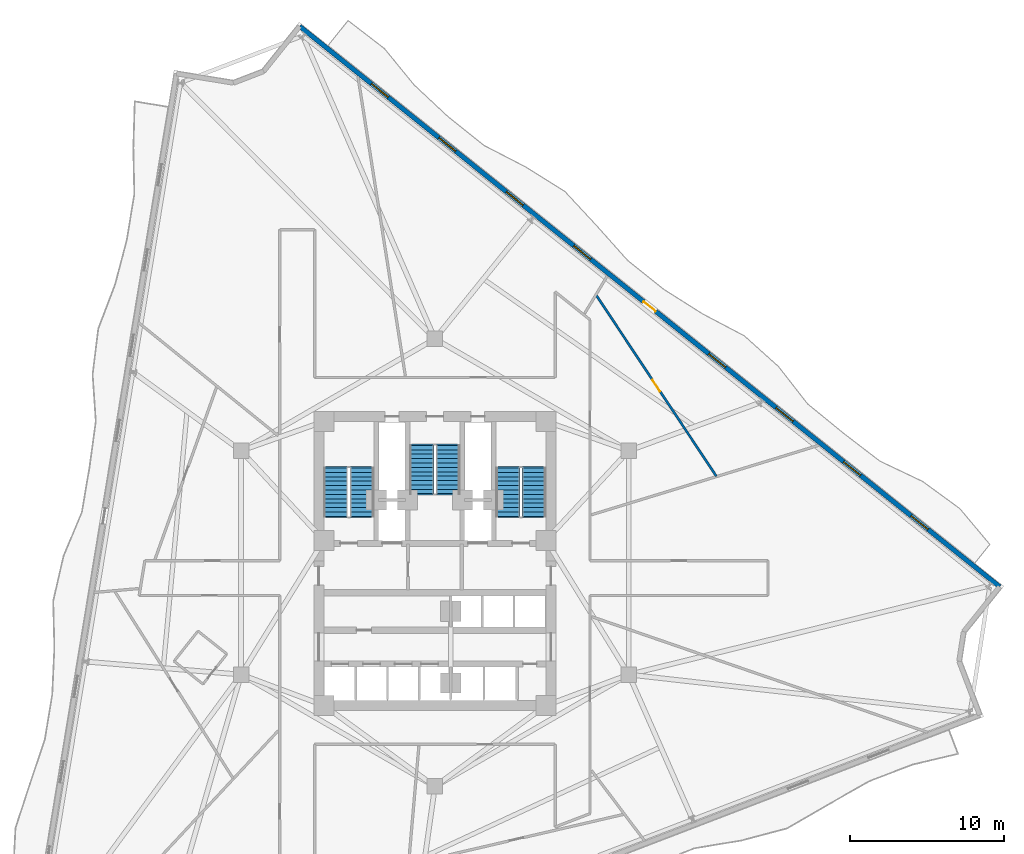
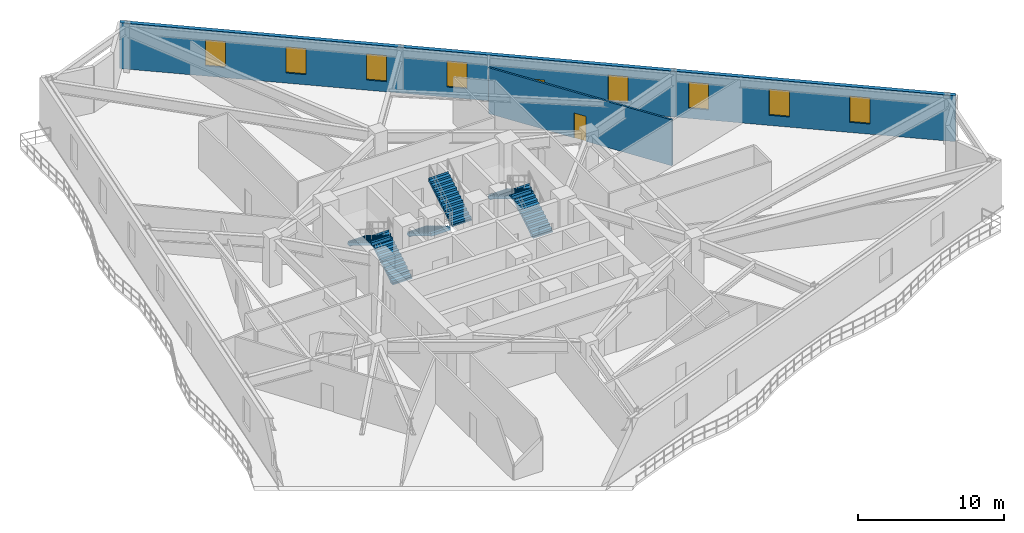
# One storey, part 7 of 11: 8 windows, 6 stair flights, 2 doors, 2 walls, 10 openings, 3 elements without a shape of their own.
"""IFC4 building model written with IfcOpenShell, lengths in metres."""

from ifc_helpers import new_model, si_unit, direction, frame, frame_2d, origin, place, context, subcontext, project, spatial, polyline, rectangle, outline, extrude, material, layer, layer_set, type_object, element, fill, aggregate, save


model = new_model("IFC4")

# Units and contexts
model_context = context("Model", 3, precision=1e-05, world=origin(), true_north=direction((0.0, 1.0)))
body_context = subcontext(model_context, "Body", "Model", "MODEL_VIEW")
ifc_project = project(units=[si_unit("LENGTHUNIT", "METRE"), si_unit("AREAUNIT", "SQUARE_METRE"), si_unit("VOLUMEUNIT", "CUBIC_METRE"), si_unit("PLANEANGLEUNIT", "RADIAN"), si_unit("MASSUNIT", "GRAM", prefix="KILO")], contexts=[model_context])

# Site, building, storey
site_placement = place(None, origin())
site = spatial("IfcSite", under=ifc_project, at=site_placement, CompositionType="ELEMENT")
building_placement = place(site_placement, origin())
building = spatial("IfcBuilding", under=site, at=building_placement, Name="Apsidion Concourse Tower", CompositionType="ELEMENT")
storey_placement = place(building_placement, frame((0.0, 0.0, 148.60009765625)))
storey = spatial("IfcBuildingStorey", under=building, at=storey_placement, Name="L34", CompositionType="ELEMENT", Elevation=148.60009765625)

# Wall, openings, door, windows
ifc_material_1 = material(Name="Precast concrete C40/50", Category="concrete")
ifc_layer_1 = layer(ifc_material_1, 0.300048828125)
ifc_layer_set_1 = layer_set([ifc_layer_1], Name="Precast concrete C40/50")
wall_type_1 = type_object("IfcWallType", Name="WL-EXT-300", PredefinedType="STANDARD", material=ifc_layer_set_1)
wall_1_placement = place(storey_placement, frame((-8.76171875, 34.748291015625, 0.0), z_axis=(0.0, 0.0, 1.0), x_axis=(0.780669916438, -0.624943582708, 0.0)))
wall_1 = element("IfcWall", 1, at=wall_1_placement, inside=storey, type_object=wall_type_1, Name="L34 Precast Stone Facade Wall 01", PredefinedType="STANDARD", context=body_context, shape_type="SweptSolid", body=[
    extrude(rectangle(XDim=58.093017578125, YDim=0.300048828125, at=frame_2d((29.04638671875, 0.0))), origin(), (0.0, 0.0, 1.0), 3.849853515625),
])
opening_1_placement = place(wall_1_placement, frame((28.546630859375, 0.0, 0.0)))
opening_1 = element("IfcOpeningElement", 2, at=opening_1_placement, cuts=wall_1, Name="Opening D-T1L", PredefinedType="OPENING", context=body_context, shape_type="SweptSolid", body=[
    extrude(rectangle(XDim=1.0, YDim=2.14990234375, at=frame_2d((0.5, 1.074951171875))), frame((0.0, 0.16015625, 0.0), z_axis=(0.0, -1.0, 0.0), x_axis=(1.0, 0.0, 0.0)), (0.0, 0.0, 1.0), 0.320068359375),
])
opening_2_placement = place(wall_1_placement, frame((5.946533203125, 0.0, 0.85009765625)))
opening_2 = element("IfcOpeningElement", 3, at=opening_2_placement, cuts=wall_1, Name="Opening WN-05", PredefinedType="OPENING", context=body_context, shape_type="SweptSolid", body=[
    extrude(rectangle(XDim=1.39990234375, YDim=2.199951171875, at=frame_2d((0.699951171875, 1.10009765625))), frame((0.0, 0.16015625, 0.0), z_axis=(0.0, -1.0, 0.0), x_axis=(1.0, 0.0, 0.0)), (0.0, 0.0, 1.0), 0.320068359375),
])
opening_3_placement = place(wall_1_placement, frame((11.546630859375, 0.0, 0.85009765625)))
opening_3 = element("IfcOpeningElement", 4, at=opening_3_placement, cuts=wall_1, Name="Opening WN-05", PredefinedType="OPENING", context=body_context, shape_type="SweptSolid", body=[
    extrude(rectangle(XDim=1.39990234375, YDim=2.199951171875, at=frame_2d((0.699951171875, 1.10009765625))), frame((0.0, 0.16015625, 0.0), z_axis=(0.0, -1.0, 0.0), x_axis=(1.0, 0.0, 0.0)), (0.0, 0.0, 1.0), 0.320068359375),
])
opening_4_placement = place(wall_1_placement, frame((17.146484375, 0.0, 0.85009765625)))
opening_4 = element("IfcOpeningElement", 5, at=opening_4_placement, cuts=wall_1, Name="Opening WN-05", PredefinedType="OPENING", context=body_context, shape_type="SweptSolid", body=[
    extrude(rectangle(XDim=1.39990234375, YDim=2.199951171875, at=frame_2d((0.699951171875, 1.10009765625))), frame((0.0, 0.16015625, 0.0), z_axis=(0.0, -1.0, 0.0), x_axis=(1.0, 0.0, 0.0)), (0.0, 0.0, 1.0), 0.320068359375),
])
opening_5_placement = place(wall_1_placement, frame((22.74658203125, 0.0, 0.85009765625)))
opening_5 = element("IfcOpeningElement", 6, at=opening_5_placement, cuts=wall_1, Name="Opening WN-05", PredefinedType="OPENING", context=body_context, shape_type="SweptSolid", body=[
    extrude(rectangle(XDim=1.39990234375, YDim=2.199951171875, at=frame_2d((0.699951171875, 1.10009765625))), frame((0.0, 0.16015625, 0.0), z_axis=(0.0, -1.0, 0.0), x_axis=(1.0, 0.0, 0.0)), (0.0, 0.0, 1.0), 0.320068359375),
])
opening_6_placement = place(wall_1_placement, frame((33.946533203125, 0.0, 0.85009765625)))
opening_6 = element("IfcOpeningElement", 7, at=opening_6_placement, cuts=wall_1, Name="Opening WN-05", PredefinedType="OPENING", context=body_context, shape_type="SweptSolid", body=[
    extrude(rectangle(XDim=1.39990234375, YDim=2.199951171875, at=frame_2d((0.699951171875, 1.10009765625))), frame((0.0, 0.16015625, 0.0), z_axis=(0.0, -1.0, 0.0), x_axis=(1.0, 0.0, 0.0)), (0.0, 0.0, 1.0), 0.320068359375),
])
opening_7_placement = place(wall_1_placement, frame((39.546630859375, 0.0, 0.85009765625)))
opening_7 = element("IfcOpeningElement", 8, at=opening_7_placement, cuts=wall_1, Name="Opening WN-05", PredefinedType="OPENING", context=body_context, shape_type="SweptSolid", body=[
    extrude(rectangle(XDim=1.39990234375, YDim=2.199951171875, at=frame_2d((0.699951171875, 1.10009765625))), frame((0.0, 0.16015625, 0.0), z_axis=(0.0, -1.0, 0.0), x_axis=(1.0, 0.0, 0.0)), (0.0, 0.0, 1.0), 0.320068359375),
])
opening_8_placement = place(wall_1_placement, frame((45.146484375, 0.0, 0.85009765625)))
opening_8 = element("IfcOpeningElement", 9, at=opening_8_placement, cuts=wall_1, Name="Opening WN-05", PredefinedType="OPENING", context=body_context, shape_type="SweptSolid", body=[
    extrude(rectangle(XDim=1.39990234375, YDim=2.199951171875, at=frame_2d((0.699951171875, 1.10009765625))), frame((0.0, 0.16015625, 0.0), z_axis=(0.0, -1.0, 0.0), x_axis=(1.0, 0.0, 0.0)), (0.0, 0.0, 1.0), 0.320068359375),
])
opening_9_placement = place(wall_1_placement, frame((50.74658203125, 0.0, 0.85009765625)))
opening_9 = element("IfcOpeningElement", 10, at=opening_9_placement, cuts=wall_1, Name="Opening WN-05", PredefinedType="OPENING", context=body_context, shape_type="SweptSolid", body=[
    extrude(rectangle(XDim=1.39990234375, YDim=2.199951171875, at=frame_2d((0.699951171875, 1.10009765625))), frame((0.0, 0.16015625, 0.0), z_axis=(0.0, -1.0, 0.0), x_axis=(1.0, 0.0, 0.0)), (0.0, 0.0, 1.0), 0.320068359375),
])
ifc_material_2 = material(Name="Anodised aluminium EN AW-6063 T6", Category="aluminium")
door_type_1 = type_object("IfcDoorType", Name="DR-TER-1022L", OperationType="SINGLE_SWING_LEFT", PredefinedType="DOOR", material=ifc_material_2)
door_1_placement = place(opening_1_placement, origin())
door_1 = element("IfcDoor", 11, at=door_1_placement, inside=storey, type_object=door_type_1, Name="L34 Balcony Access Door 3", OperationType="SINGLE_SWING_LEFT", OverallHeight=2.14990234375, OverallWidth=1.0, PredefinedType="DOOR", context=body_context, shape_type="SweptSolid", body=[
    extrude(rectangle(XDim=1.0, YDim=2.14990234375, at=frame_2d((0.5, 1.074951171875))), frame((0.0, 0.02490234375, 0.0), z_axis=(0.0, -1.0, 0.0), x_axis=(1.0, 0.0, 0.0)), (0.0, 0.0, 1.0), 0.050048828125),
])
fill(opening_1, door_1)
ifc_material_3 = material(Name="Insulated laminated low-E glass", Category="glass")
window_type = type_object("IfcWindowType", Name="WN-OFF-1424", PartitioningType="SINGLE_PANEL", PredefinedType="WINDOW", material=ifc_material_3)
window_1_placement = place(opening_2_placement, origin())
window_1 = element("IfcWindow", 12, at=window_1_placement, inside=storey, type_object=window_type, Name="L34 Punched Facade Window 1-01", OverallHeight=2.199951171875, OverallWidth=1.39990234375, PartitioningType="SINGLE_PANEL", PredefinedType="WINDOW", context=body_context, shape_type="SweptSolid", body=[
    extrude(rectangle(XDim=1.39990234375, YDim=2.199951171875, at=frame_2d((0.699951171875, 1.10009765625))), frame((0.0, 0.030029296875, 0.0), z_axis=(0.0, -1.0, 0.0), x_axis=(1.0, 0.0, 0.0)), (0.0, 0.0, 1.0), 0.06005859375),
])
fill(opening_2, window_1)
window_2_placement = place(opening_3_placement, origin())
window_2 = element("IfcWindow", 13, at=window_2_placement, inside=storey, type_object=window_type, Name="L34 Punched Facade Window 1-02", OverallHeight=2.199951171875, OverallWidth=1.39990234375, PartitioningType="SINGLE_PANEL", PredefinedType="WINDOW", context=body_context, shape_type="SweptSolid", body=[
    extrude(rectangle(XDim=1.39990234375, YDim=2.199951171875, at=frame_2d((0.699951171875, 1.10009765625))), frame((0.0, 0.030029296875, 0.0), z_axis=(0.0, -1.0, 0.0), x_axis=(1.0, 0.0, 0.0)), (0.0, 0.0, 1.0), 0.06005859375),
])
fill(opening_3, window_2)
window_3_placement = place(opening_4_placement, origin())
window_3 = element("IfcWindow", 14, at=window_3_placement, inside=storey, type_object=window_type, Name="L34 Punched Facade Window 1-03", OverallHeight=2.199951171875, OverallWidth=1.39990234375, PartitioningType="SINGLE_PANEL", PredefinedType="WINDOW", context=body_context, shape_type="SweptSolid", body=[
    extrude(rectangle(XDim=1.39990234375, YDim=2.199951171875, at=frame_2d((0.699951171875, 1.10009765625))), frame((0.0, 0.030029296875, 0.0), z_axis=(0.0, -1.0, 0.0), x_axis=(1.0, 0.0, 0.0)), (0.0, 0.0, 1.0), 0.06005859375),
])
fill(opening_4, window_3)
window_4_placement = place(opening_5_placement, origin())
window_4 = element("IfcWindow", 15, at=window_4_placement, inside=storey, type_object=window_type, Name="L34 Punched Facade Window 1-04", OverallHeight=2.199951171875, OverallWidth=1.39990234375, PartitioningType="SINGLE_PANEL", PredefinedType="WINDOW", context=body_context, shape_type="SweptSolid", body=[
    extrude(rectangle(XDim=1.39990234375, YDim=2.199951171875, at=frame_2d((0.699951171875, 1.10009765625))), frame((0.0, 0.030029296875, 0.0), z_axis=(0.0, -1.0, 0.0), x_axis=(1.0, 0.0, 0.0)), (0.0, 0.0, 1.0), 0.06005859375),
])
fill(opening_5, window_4)
window_5_placement = place(opening_6_placement, origin())
window_5 = element("IfcWindow", 16, at=window_5_placement, inside=storey, type_object=window_type, Name="L34 Punched Facade Window 1-06", OverallHeight=2.199951171875, OverallWidth=1.39990234375, PartitioningType="SINGLE_PANEL", PredefinedType="WINDOW", context=body_context, shape_type="SweptSolid", body=[
    extrude(rectangle(XDim=1.39990234375, YDim=2.199951171875, at=frame_2d((0.699951171875, 1.10009765625))), frame((0.0, 0.030029296875, 0.0), z_axis=(0.0, -1.0, 0.0), x_axis=(1.0, 0.0, 0.0)), (0.0, 0.0, 1.0), 0.06005859375),
])
fill(opening_6, window_5)
window_6_placement = place(opening_7_placement, origin())
window_6 = element("IfcWindow", 17, at=window_6_placement, inside=storey, type_object=window_type, Name="L34 Punched Facade Window 1-07", OverallHeight=2.199951171875, OverallWidth=1.39990234375, PartitioningType="SINGLE_PANEL", PredefinedType="WINDOW", context=body_context, shape_type="SweptSolid", body=[
    extrude(rectangle(XDim=1.39990234375, YDim=2.199951171875, at=frame_2d((0.699951171875, 1.10009765625))), frame((0.0, 0.030029296875, 0.0), z_axis=(0.0, -1.0, 0.0), x_axis=(1.0, 0.0, 0.0)), (0.0, 0.0, 1.0), 0.06005859375),
])
fill(opening_7, window_6)
window_7_placement = place(opening_8_placement, origin())
window_7 = element("IfcWindow", 18, at=window_7_placement, inside=storey, type_object=window_type, Name="L34 Punched Facade Window 1-08", OverallHeight=2.199951171875, OverallWidth=1.39990234375, PartitioningType="SINGLE_PANEL", PredefinedType="WINDOW", context=body_context, shape_type="SweptSolid", body=[
    extrude(rectangle(XDim=1.39990234375, YDim=2.199951171875, at=frame_2d((0.699951171875, 1.10009765625))), frame((0.0, 0.030029296875, 0.0), z_axis=(0.0, -1.0, 0.0), x_axis=(1.0, 0.0, 0.0)), (0.0, 0.0, 1.0), 0.06005859375),
])
fill(opening_8, window_7)
window_8_placement = place(opening_9_placement, origin())
window_8 = element("IfcWindow", 19, at=window_8_placement, inside=storey, type_object=window_type, Name="L34 Punched Facade Window 1-09", OverallHeight=2.199951171875, OverallWidth=1.39990234375, PartitioningType="SINGLE_PANEL", PredefinedType="WINDOW", context=body_context, shape_type="SweptSolid", body=[
    extrude(rectangle(XDim=1.39990234375, YDim=2.199951171875, at=frame_2d((0.699951171875, 1.10009765625))), frame((0.0, 0.030029296875, 0.0), z_axis=(0.0, -1.0, 0.0), x_axis=(1.0, 0.0, 0.0)), (0.0, 0.0, 1.0), 0.06005859375),
])
fill(opening_9, window_8)

# Wall, opening, door
ifc_material_4 = material(Name="Gypsum plasterboard partition")
ifc_layer_2 = layer(ifc_material_4, 0.14990234375)
ifc_layer_set_2 = layer_set([ifc_layer_2], Name="Gypsum plasterboard partition")
wall_type_2 = type_object("IfcWallType", Name="WL-INT-PAR-150", PredefinedType="PARTITIONING", material=ifc_layer_set_2)
wall_2_placement = place(storey_placement, frame((18.232666015625, 5.600341796875, 0.0), z_axis=(0.0, 0.0, 1.0), x_axis=(-0.552746716733, 0.833349306798, 0.0)))
wall_2 = element("IfcWall", 20, at=wall_2_placement, inside=storey, type_object=wall_type_2, Name="L34 Interior Partition WL-L34-CHD-OFS05", PredefinedType="PARTITIONING", context=body_context, shape_type="SweptSolid", body=[
    extrude(rectangle(XDim=14.08544921875, YDim=0.14990234375, at=frame_2d((7.042724609375, 0.0))), origin(), (0.0, 0.0, 1.0), 3.849853515625),
])
opening_10_placement = place(wall_2_placement, frame((6.592529296875, 0.0, 0.0)))
opening_10 = element("IfcOpeningElement", 21, at=opening_10_placement, cuts=wall_2, Name="Opening D-02R", PredefinedType="OPENING", context=body_context, shape_type="SweptSolid", body=[
    extrude(rectangle(XDim=0.89990234375, YDim=2.10009765625, at=frame_2d((0.449951171875, 1.050048828125))), frame((0.0, 0.0849609375, 0.0), z_axis=(0.0, -1.0, 0.0), x_axis=(1.0, 0.0, 0.0)), (0.0, 0.0, 1.0), 0.169921875),
])
door_type_2 = type_object("IfcDoorType", Name="DR-INT-D02R", OperationType="SINGLE_SWING_RIGHT", PredefinedType="DOOR", material=ifc_material_2)
door_2_placement = place(opening_10_placement, origin())
door_2 = element("IfcDoor", 22, at=door_2_placement, inside=storey, type_object=door_type_2, Name="L34 Suite Connecting Door OFS05", OperationType="SINGLE_SWING_RIGHT", OverallHeight=2.10009765625, OverallWidth=0.89990234375, PredefinedType="DOOR", context=body_context, shape_type="SweptSolid", body=[
    extrude(rectangle(XDim=0.89990234375, YDim=2.10009765625, at=frame_2d((0.449951171875, 1.050048828125))), frame((0.0, 0.02490234375, 0.0), z_axis=(0.0, -1.0, 0.0), x_axis=(1.0, 0.0, 0.0)), (0.0, 0.0, 1.0), 0.050048828125),
])
fill(opening_10, door_2)

# Stair, stair flights
stair_type = type_object("IfcStairType", Name="ST-DL-1550", PredefinedType="HALF_TURN_STAIR", material=ifc_material_1)
stair_1_placement = place(storey_placement, origin())
stair_1 = element("IfcStair", 23, at=stair_1_placement, inside=storey, type_object=stair_type, Name="L34 Protected Core Exit Stair ST1", PredefinedType="HALF_TURN_STAIR")
stair_flight_type = type_object("IfcStairFlightType", Name="SFL-RC-1550", PredefinedType="STRAIGHT", material=ifc_material_1)
stair_flight_1_placement = place(storey_placement, frame((-4.72509765625, 3.0, 0.0), z_axis=(0.0, 0.0, 1.0), x_axis=(0.0, 1.0, 0.0)))
stair_flight_1 = element("IfcStairFlight", 24, at=stair_flight_1_placement, type_object=stair_flight_type, Name="ST1 flight 1", NumberOfRisers=12, NumberOfTreads=11, PredefinedType="STRAIGHT", RiserHeight=0.170833333, TreadLength=0.285, context=body_context, shape_type="SweptSolid", body=[
    extrude(outline(polyline([(-0.080078125, -0.1123046875), (-0.080078125, 0.0), (0.0, 0.0), (0.0, 0.1708984375), (0.284912109375, 0.1708984375), (0.284912109375, 0.341552734375), (0.570068359375, 0.341552734375), (0.570068359375, 0.512451171875), (0.85498046875, 0.512451171875), (0.85498046875, 0.683349609375), (1.139892578125, 0.683349609375), (1.139892578125, 0.854248046875), (1.425048828125, 0.854248046875), (1.425048828125, 1.02490234375), (1.7099609375, 1.02490234375), (1.7099609375, 1.19580078125), (1.9951171875, 1.19580078125), (1.9951171875, 1.36669921875), (2.280029296875, 1.36669921875), (2.280029296875, 1.53759765625), (2.56494140625, 1.53759765625), (2.56494140625, 1.708251953125), (2.85009765625, 1.708251953125), (2.85009765625, 1.879150390625), (3.135009765625, 1.879150390625), (3.135009765625, 2.050048828125), (3.215087890625, 1.964599609375), (3.215087890625, 1.704345703125), (3.135009765625, 1.704345703125), (0.29150390625, 0.0), (0.29150390625, -0.1123046875), (-0.080078125, -0.1123046875)])), frame((0.0, 0.77490234375, 0.0), z_axis=(0.0, -1.0, 0.0), x_axis=(1.0, 0.0, 0.0)), (0.0, 0.0, 1.0), 1.550048828125),
])
stair_flight_2_placement = place(storey_placement, frame((-6.425048828125, 6.135009765625, 2.0498046875), z_axis=(0.0, 0.0, 1.0), x_axis=(0.0, -1.0, 0.0)))
stair_flight_2 = element("IfcStairFlight", 25, at=stair_flight_2_placement, type_object=stair_flight_type, Name="ST1 flight 2", NumberOfRisers=12, NumberOfTreads=11, PredefinedType="STRAIGHT", RiserHeight=0.170833333, TreadLength=0.285, context=body_context, shape_type="SweptSolid", body=[
    extrude(outline(polyline([(-0.080078125, -0.1123046875), (-0.080078125, 0.0), (0.0, 0.0), (0.0, 0.1708984375), (0.284912109375, 0.1708984375), (0.284912109375, 0.341552734375), (0.570068359375, 0.341552734375), (0.570068359375, 0.512451171875), (0.85498046875, 0.512451171875), (0.85498046875, 0.683349609375), (1.139892578125, 0.683349609375), (1.139892578125, 0.854248046875), (1.425048828125, 0.854248046875), (1.425048828125, 1.02490234375), (1.7099609375, 1.02490234375), (1.7099609375, 1.19580078125), (1.9951171875, 1.19580078125), (1.9951171875, 1.36669921875), (2.280029296875, 1.36669921875), (2.280029296875, 1.53759765625), (2.56494140625, 1.53759765625), (2.56494140625, 1.708251953125), (2.85009765625, 1.708251953125), (2.85009765625, 1.879150390625), (3.135009765625, 1.879150390625), (3.135009765625, 2.050048828125), (3.215087890625, 1.964599609375), (3.215087890625, 1.704345703125), (3.135009765625, 1.704345703125), (0.29150390625, 0.0), (0.29150390625, -0.1123046875), (-0.080078125, -0.1123046875)])), frame((0.0, 0.77490234375, 0.0), z_axis=(0.0, -1.0, 0.0), x_axis=(1.0, 0.0, 0.0)), (0.0, 0.0, 1.0), 1.550048828125),
])
aggregate(stair_1, [stair_flight_1, stair_flight_2])

stair_2_placement = place(storey_placement, origin())
stair_2 = element("IfcStair", 26, at=stair_2_placement, inside=storey, type_object=stair_type, Name="L34 Protected Core Exit Stair ST2", PredefinedType="HALF_TURN_STAIR")
stair_flight_3_placement = place(storey_placement, frame((6.425048828125, 3.0, 0.0), z_axis=(0.0, 0.0, 1.0), x_axis=(0.0, 1.0, 0.0)))
stair_flight_3 = element("IfcStairFlight", 27, at=stair_flight_3_placement, type_object=stair_flight_type, Name="ST2 flight 1", NumberOfRisers=12, NumberOfTreads=11, PredefinedType="STRAIGHT", RiserHeight=0.170833333, TreadLength=0.285, context=body_context, shape_type="SweptSolid", body=[
    extrude(outline(polyline([(-0.080078125, -0.1123046875), (-0.080078125, 0.0), (0.0, 0.0), (0.0, 0.1708984375), (0.284912109375, 0.1708984375), (0.284912109375, 0.341552734375), (0.570068359375, 0.341552734375), (0.570068359375, 0.512451171875), (0.85498046875, 0.512451171875), (0.85498046875, 0.683349609375), (1.139892578125, 0.683349609375), (1.139892578125, 0.854248046875), (1.425048828125, 0.854248046875), (1.425048828125, 1.02490234375), (1.7099609375, 1.02490234375), (1.7099609375, 1.19580078125), (1.9951171875, 1.19580078125), (1.9951171875, 1.36669921875), (2.280029296875, 1.36669921875), (2.280029296875, 1.53759765625), (2.56494140625, 1.53759765625), (2.56494140625, 1.708251953125), (2.85009765625, 1.708251953125), (2.85009765625, 1.879150390625), (3.135009765625, 1.879150390625), (3.135009765625, 2.050048828125), (3.215087890625, 1.964599609375), (3.215087890625, 1.704345703125), (3.135009765625, 1.704345703125), (0.29150390625, 0.0), (0.29150390625, -0.1123046875), (-0.080078125, -0.1123046875)])), frame((0.0, 0.77490234375, 0.0), z_axis=(0.0, -1.0, 0.0), x_axis=(1.0, 0.0, 0.0)), (0.0, 0.0, 1.0), 1.550048828125),
])
stair_flight_4_placement = place(storey_placement, frame((4.72509765625, 6.135009765625, 2.0498046875), z_axis=(0.0, 0.0, 1.0), x_axis=(0.0, -1.0, 0.0)))
stair_flight_4 = element("IfcStairFlight", 28, at=stair_flight_4_placement, type_object=stair_flight_type, Name="ST2 flight 2", NumberOfRisers=12, NumberOfTreads=11, PredefinedType="STRAIGHT", RiserHeight=0.170833333, TreadLength=0.285, context=body_context, shape_type="SweptSolid", body=[
    extrude(outline(polyline([(-0.080078125, -0.1123046875), (-0.080078125, 0.0), (0.0, 0.0), (0.0, 0.1708984375), (0.284912109375, 0.1708984375), (0.284912109375, 0.341552734375), (0.570068359375, 0.341552734375), (0.570068359375, 0.512451171875), (0.85498046875, 0.512451171875), (0.85498046875, 0.683349609375), (1.139892578125, 0.683349609375), (1.139892578125, 0.854248046875), (1.425048828125, 0.854248046875), (1.425048828125, 1.02490234375), (1.7099609375, 1.02490234375), (1.7099609375, 1.19580078125), (1.9951171875, 1.19580078125), (1.9951171875, 1.36669921875), (2.280029296875, 1.36669921875), (2.280029296875, 1.53759765625), (2.56494140625, 1.53759765625), (2.56494140625, 1.708251953125), (2.85009765625, 1.708251953125), (2.85009765625, 1.879150390625), (3.135009765625, 1.879150390625), (3.135009765625, 2.050048828125), (3.215087890625, 1.964599609375), (3.215087890625, 1.704345703125), (3.135009765625, 1.704345703125), (0.29150390625, 0.0), (0.29150390625, -0.1123046875), (-0.080078125, -0.1123046875)])), frame((0.0, 0.77490234375, 0.0), z_axis=(0.0, -1.0, 0.0), x_axis=(1.0, 0.0, 0.0)), (0.0, 0.0, 1.0), 1.550048828125),
])
aggregate(stair_2, [stair_flight_3, stair_flight_4])

stair_3_placement = place(storey_placement, origin())
stair_3 = element("IfcStair", 29, at=stair_3_placement, inside=storey, type_object=stair_type, Name="L34 Protected Core Exit Stair ST3", PredefinedType="HALF_TURN_STAIR")
stair_flight_5_placement = place(storey_placement, frame((-0.85009765625, 7.60009765625, 0.0), z_axis=(0.0, 0.0, 1.0), x_axis=(0.0, -1.0, 0.0)))
stair_flight_5 = element("IfcStairFlight", 30, at=stair_flight_5_placement, type_object=stair_flight_type, Name="ST3 flight 1", NumberOfRisers=12, NumberOfTreads=11, PredefinedType="STRAIGHT", RiserHeight=0.170833333, TreadLength=0.285, context=body_context, shape_type="SweptSolid", body=[
    extrude(outline(polyline([(-0.080078125, -0.1123046875), (-0.080078125, 0.0), (0.0, 0.0), (0.0, 0.1708984375), (0.284912109375, 0.1708984375), (0.284912109375, 0.341552734375), (0.570068359375, 0.341552734375), (0.570068359375, 0.512451171875), (0.85498046875, 0.512451171875), (0.85498046875, 0.683349609375), (1.139892578125, 0.683349609375), (1.139892578125, 0.854248046875), (1.425048828125, 0.854248046875), (1.425048828125, 1.02490234375), (1.7099609375, 1.02490234375), (1.7099609375, 1.19580078125), (1.9951171875, 1.19580078125), (1.9951171875, 1.36669921875), (2.280029296875, 1.36669921875), (2.280029296875, 1.53759765625), (2.56494140625, 1.53759765625), (2.56494140625, 1.708251953125), (2.85009765625, 1.708251953125), (2.85009765625, 1.879150390625), (3.135009765625, 1.879150390625), (3.135009765625, 2.050048828125), (3.215087890625, 1.964599609375), (3.215087890625, 1.704345703125), (3.135009765625, 1.704345703125), (0.29150390625, 0.0), (0.29150390625, -0.1123046875), (-0.080078125, -0.1123046875)])), frame((0.0, 0.77490234375, 0.0), z_axis=(0.0, -1.0, 0.0), x_axis=(1.0, 0.0, 0.0)), (0.0, 0.0, 1.0), 1.550048828125),
])
stair_flight_6_placement = place(storey_placement, frame((0.85009765625, 4.465087890625, 2.0498046875), z_axis=(0.0, 0.0, 1.0), x_axis=(0.0, 1.0, 0.0)))
stair_flight_6 = element("IfcStairFlight", 31, at=stair_flight_6_placement, type_object=stair_flight_type, Name="ST3 flight 2", NumberOfRisers=12, NumberOfTreads=11, PredefinedType="STRAIGHT", RiserHeight=0.170833333, TreadLength=0.285, context=body_context, shape_type="SweptSolid", body=[
    extrude(outline(polyline([(-0.080078125, -0.1123046875), (-0.080078125, 0.0), (0.0, 0.0), (0.0, 0.1708984375), (0.284912109375, 0.1708984375), (0.284912109375, 0.341552734375), (0.570068359375, 0.341552734375), (0.570068359375, 0.512451171875), (0.85498046875, 0.512451171875), (0.85498046875, 0.683349609375), (1.139892578125, 0.683349609375), (1.139892578125, 0.854248046875), (1.425048828125, 0.854248046875), (1.425048828125, 1.02490234375), (1.7099609375, 1.02490234375), (1.7099609375, 1.19580078125), (1.9951171875, 1.19580078125), (1.9951171875, 1.36669921875), (2.280029296875, 1.36669921875), (2.280029296875, 1.53759765625), (2.56494140625, 1.53759765625), (2.56494140625, 1.708251953125), (2.85009765625, 1.708251953125), (2.85009765625, 1.879150390625), (3.135009765625, 1.879150390625), (3.135009765625, 2.050048828125), (3.215087890625, 1.964599609375), (3.215087890625, 1.704345703125), (3.135009765625, 1.704345703125), (0.29150390625, 0.0), (0.29150390625, -0.1123046875), (-0.080078125, -0.1123046875)])), frame((0.0, 0.77490234375, 0.0), z_axis=(0.0, -1.0, 0.0), x_axis=(1.0, 0.0, 0.0)), (0.0, 0.0, 1.0), 1.550048828125),
])
aggregate(stair_3, [stair_flight_5, stair_flight_6])

save(model, "model.ifc")
